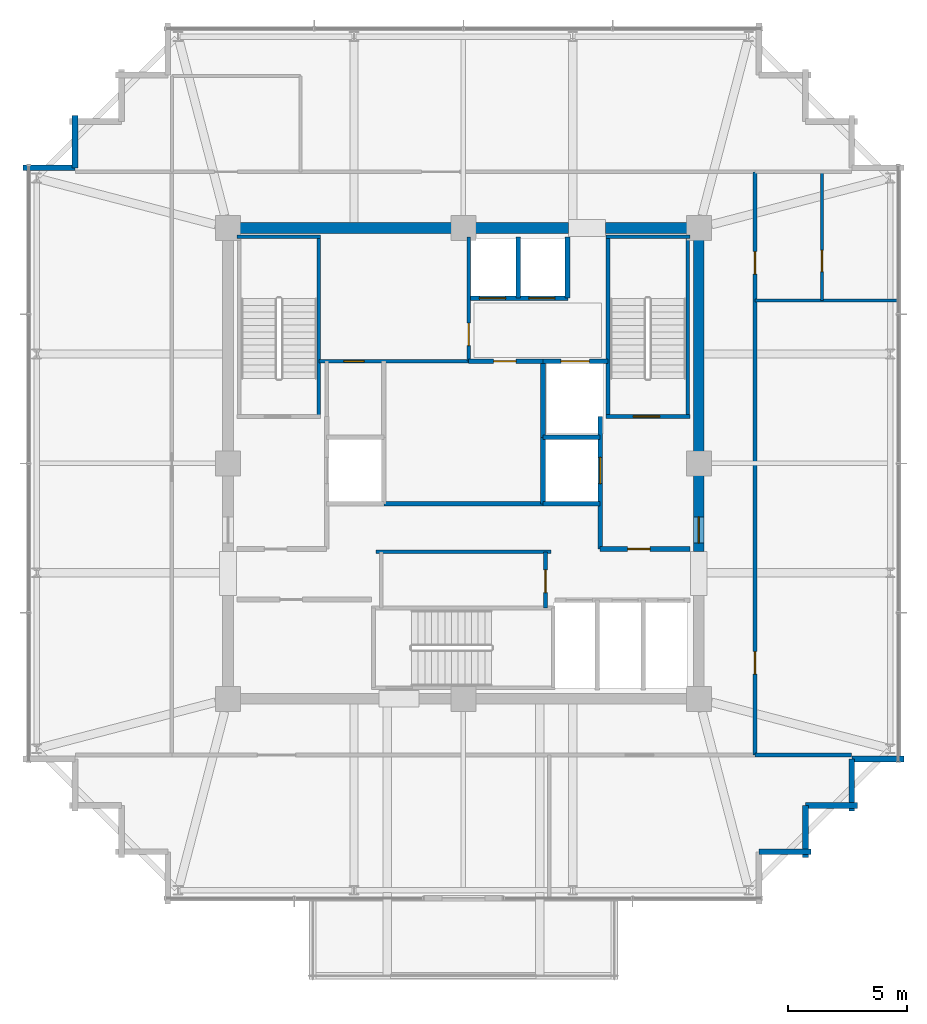
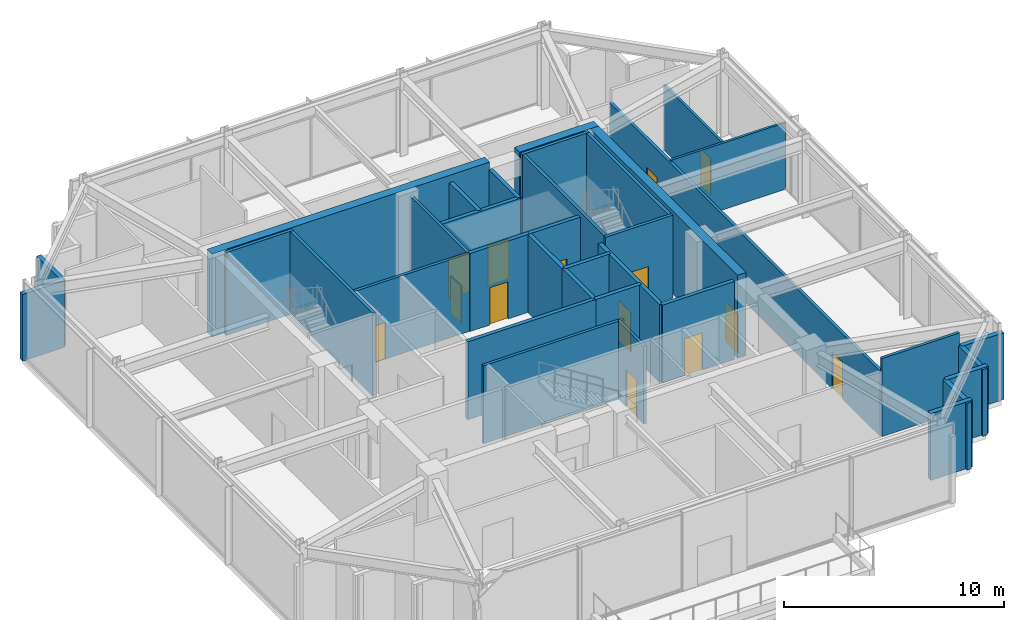
# One storey, part 28 of 30: 36 walls, 14 doors, 14 openings.
"""IFC4 building model written with IfcOpenShell, lengths in metres."""

from ifc_helpers import new_model, si_unit, direction, frame, frame_2d, origin, place, context, subcontext, project, spatial, rectangle, extrude, material, layer, layer_set, type_object, element, fill, save


model = new_model("IFC4")

# Units and contexts
model_context = context("Model", 3, precision=1e-05, world=origin(), true_north=direction((0.0, 1.0)))
body_context = subcontext(model_context, "Body", "Model", "MODEL_VIEW")
ifc_project = project(units=[si_unit("LENGTHUNIT", "METRE"), si_unit("AREAUNIT", "SQUARE_METRE"), si_unit("VOLUMEUNIT", "CUBIC_METRE"), si_unit("PLANEANGLEUNIT", "RADIAN"), si_unit("MASSUNIT", "GRAM", prefix="KILO")], contexts=[model_context])

# Site, building, storey
site_placement = place(None, origin())
site = spatial("IfcSite", under=ifc_project, at=site_placement, CompositionType="ELEMENT")
building_placement = place(site_placement, origin())
building = spatial("IfcBuilding", under=site, at=building_placement, Name="Kolvaren Belvedere", CompositionType="ELEMENT")
storey_placement = place(building_placement, frame((0.0, 0.0, 262.800048828125)))
storey = spatial("IfcBuildingStorey", under=building, at=storey_placement, Name="L76", CompositionType="ELEMENT", Elevation=262.800048828125)

# Walls
ifc_material_1 = material(Name="Concrete C50/60", Category="concrete")
ifc_layer_1 = layer(ifc_material_1, 0.449951171875)
ifc_layer_set_1 = layer_set([ifc_layer_1], Name="Concrete C50/60")
wall_type_1 = type_object("IfcWallType", Name="CW-CORE-450", PredefinedType="SHEAR", material=ifc_layer_set_1)
wall_1_placement = place(storey_placement, frame((-10.125, 9.89990234375, 0.0), z_axis=(0.0, 0.0, 1.0), x_axis=(1.0, 0.0, 0.0)))
element("IfcWall", 1, at=wall_1_placement, inside=storey, type_object=wall_type_1, Name="L76 North Core Shear Wall 1", PredefinedType="SHEAR", context=body_context, shape_type="SweptSolid", body=[
    extrude(rectangle(XDim=14.544921875, YDim=0.449951171875, at=frame_2d((7.2724609375, 0.0))), origin(), (0.0, 0.0, 1.0), 4.599853515625),
])
wall_2_placement = place(storey_placement, frame((5.97998046875, 9.89990234375, 0.0), z_axis=(0.0, 0.0, 1.0), x_axis=(1.0, 0.0, 0.0)))
element("IfcWall", 2, at=wall_2_placement, inside=storey, type_object=wall_type_1, Name="L76 North Core Shear Wall 2", PredefinedType="SHEAR", context=body_context, shape_type="SweptSolid", body=[
    extrude(rectangle(XDim=4.14501953125, YDim=0.449951171875, at=frame_2d((2.072509765625, 0.0))), origin(), (0.0, 0.0, 1.0), 4.599853515625),
])

# Wall, opening, door
wall_3_placement = place(storey_placement, frame((9.89990234375, -3.699951171875, 0.0), z_axis=(0.0, 0.0, 1.0), x_axis=(0.0, 1.0, 0.0)))
wall_3 = element("IfcWall", 3, at=wall_3_placement, inside=storey, type_object=wall_type_1, Name="L76 East Core Shear Wall 2", PredefinedType="SHEAR", context=body_context, shape_type="SweptSolid", body=[
    extrude(rectangle(XDim=13.375, YDim=0.449951171875, at=frame_2d((6.6875, 0.0))), origin(), (0.0, 0.0, 1.0), 4.599853515625),
])
opening_1_placement = place(wall_3_placement, frame((0.35009765625, 0.0, 0.0)))
opening_1 = element("IfcOpeningElement", 4, at=opening_1_placement, cuts=wall_3, Name="Opening D-FD90", PredefinedType="OPENING", context=body_context, shape_type="SweptSolid", body=[
    extrude(rectangle(XDim=1.10009765625, YDim=2.199951171875, at=frame_2d((0.550048828125, 1.10009765625))), frame((0.0, 0.23486328125, 0.0), z_axis=(0.0, -1.0, 0.0), x_axis=(1.0, 0.0, 0.0)), (0.0, 0.0, 1.0), 0.469970703125),
])
ifc_material_2 = material(Name="Painted hollow stainless steel", Category="steel")
door_type_1 = type_object("IfcDoorType", Name="DR-FD90-1100", OperationType="NOTDEFINED", PredefinedType="DOOR", material=ifc_material_2)
door_1_placement = place(opening_1_placement, origin())
door_1 = element("IfcDoor", 5, at=door_1_placement, inside=storey, type_object=door_type_1, Name="L76 East Firefighting Lobby Fire Door", OperationType="SINGLE_SWING_RIGHT", OverallHeight=2.199951171875, OverallWidth=1.10009765625, PredefinedType="DOOR", context=body_context, shape_type="SweptSolid", body=[
    extrude(rectangle(XDim=1.10009765625, YDim=2.199951171875, at=frame_2d((0.550048828125, 1.10009765625))), frame((0.0, 0.02490234375, 0.0), z_axis=(0.0, -1.0, 0.0), x_axis=(1.0, 0.0, 0.0)), (0.0, 0.0, 1.0), 0.050048828125),
])
fill(opening_1, door_1)

# Walls
ifc_material_3 = material(Name="Concrete C50/60", Category="concrete")
ifc_layer_2 = layer(ifc_material_3, 0.159912109375)
ifc_layer_set_2 = layer_set([ifc_layer_2], Name="Concrete C50/60")
wall_type_2 = type_object("IfcWallType", Name="CW-STAIR-160", PredefinedType="SHEAR", material=ifc_layer_set_2)
wall_4_placement = place(storey_placement, frame((-9.52001953125, 9.530029296875, 0.0), z_axis=(0.0, 0.0, 1.0), x_axis=(1.0, 0.0, 0.0)))
element("IfcWall", 6, at=wall_4_placement, inside=storey, type_object=wall_type_2, Name="L76 Stair ST-1 North Shear Wall", PredefinedType="SHEAR", context=body_context, shape_type="SweptSolid", body=[
    extrude(rectangle(XDim=3.52001953125, YDim=0.159912109375, at=frame_2d((1.760009765625, 0.0))), origin(), (0.0, 0.0, 1.0), 4.599853515625),
])
wall_5_placement = place(storey_placement, frame((-6.080078125, 1.969970703125, 0.0), z_axis=(0.0, 0.0, 1.0), x_axis=(0.0, 1.0, 0.0)))
element("IfcWall", 7, at=wall_5_placement, inside=storey, type_object=wall_type_2, Name="L76 Stair ST-1 East Shear Wall", PredefinedType="SHEAR", context=body_context, shape_type="SweptSolid", body=[
    extrude(rectangle(XDim=7.56005859375, YDim=0.159912109375, at=frame_2d((3.780029296875, 0.0))), origin(), (0.0, 0.0, 1.0), 4.599853515625),
])

# Wall, opening, door
wall_6_placement = place(storey_placement, frame((6.0, 1.969970703125, 0.0), z_axis=(0.0, 0.0, 1.0), x_axis=(1.0, 0.0, 0.0)))
wall_6 = element("IfcWall", 8, at=wall_6_placement, inside=storey, type_object=wall_type_2, Name="L76 Stair ST-2 South Shear Wall", PredefinedType="SHEAR", context=body_context, shape_type="SweptSolid", body=[
    extrude(rectangle(XDim=3.52001953125, YDim=0.159912109375, at=frame_2d((1.760009765625, 0.0))), origin(), (0.0, 0.0, 1.0), 4.599853515625),
])
opening_2_placement = place(wall_6_placement, frame((1.14990234375, 0.0, 0.0)))
opening_2 = element("IfcOpeningElement", 9, at=opening_2_placement, cuts=wall_6, Name="Opening D-FD90", PredefinedType="OPENING", context=body_context, shape_type="SweptSolid", body=[
    extrude(rectangle(XDim=1.10009765625, YDim=2.199951171875, at=frame_2d((0.550048828125, 1.10009765625))), frame((0.0, 0.08984375, 0.0), z_axis=(0.0, -1.0, 0.0), x_axis=(1.0, 0.0, 0.0)), (0.0, 0.0, 1.0), 0.179931640625),
])
door_2_placement = place(opening_2_placement, origin())
door_2 = element("IfcDoor", 10, at=door_2_placement, inside=storey, type_object=door_type_1, Name="L76 Stair ST-2 Fire Door", OperationType="SINGLE_SWING_RIGHT", OverallHeight=2.199951171875, OverallWidth=1.10009765625, PredefinedType="DOOR", context=body_context, shape_type="SweptSolid", body=[
    extrude(rectangle(XDim=1.10009765625, YDim=2.199951171875, at=frame_2d((0.550048828125, 1.10009765625))), frame((0.0, 0.02490234375, 0.0), z_axis=(0.0, -1.0, 0.0), x_axis=(1.0, 0.0, 0.0)), (0.0, 0.0, 1.0), 0.050048828125),
])
fill(opening_2, door_2)

# Walls
wall_7_placement = place(storey_placement, frame((6.0, 9.530029296875, 0.0), z_axis=(0.0, 0.0, 1.0), x_axis=(1.0, 0.0, 0.0)))
element("IfcWall", 11, at=wall_7_placement, inside=storey, type_object=wall_type_2, Name="L76 Stair ST-2 North Shear Wall", PredefinedType="SHEAR", context=body_context, shape_type="SweptSolid", body=[
    extrude(rectangle(XDim=3.52001953125, YDim=0.159912109375, at=frame_2d((1.760009765625, 0.0))), origin(), (0.0, 0.0, 1.0), 4.599853515625),
])
for number, where, z_axis, x_axis, name in (
    (12, (6.080078125, 1.969970703125, 0.0), (0.0, 0.0, 1.0), (0.0, 1.0, 0.0), "L76 Stair ST-2 West Shear Wall"),
    (13, (9.429931640625, 1.969970703125, 0.0), (0.0, 0.0, 1.0), (0.0, 1.0, 0.0), "L76 Stair ST-2 East Shear Wall"),
):
    element("IfcWall", number, at=place(storey_placement, frame(where, z_axis=z_axis, x_axis=x_axis)), inside=storey, type_object=wall_type_2, Name=name, PredefinedType="SHEAR", context=body_context, shape_type="SweptSolid", body=[
        extrude(rectangle(XDim=7.56005859375, YDim=0.159912109375, at=frame_2d((3.780029296875, 0.0))), origin(), (0.0, 0.0, 1.0), 4.599853515625),
    ])

# Wall, openings, doors
ifc_material_4 = material(Name="Gypsum fire-rated partition assembly", Category="gypsum")
ifc_layer_3 = layer(ifc_material_4, 0.14990234375)
ifc_layer_set_3 = layer_set([ifc_layer_3], Name="Gypsum fire-rated partition assembly")
wall_type_3 = type_object("IfcWallType", Name="WL-CORR-150", PredefinedType="PARTITIONING", material=ifc_layer_set_3)
wall_8_placement = place(storey_placement, frame((12.260009765625, -12.260009765625, 0.0), z_axis=(0.0, 0.0, 1.0), x_axis=(0.0, 1.0, 0.0)))
wall_8 = element("IfcWall", 14, at=wall_8_placement, inside=storey, type_object=wall_type_3, Name="L76 East Corridor Wall", PredefinedType="PARTITIONING", context=body_context, shape_type="SweptSolid", body=[
    extrude(rectangle(XDim=24.52001953125, YDim=0.14990234375, at=frame_2d((12.260009765625, 0.0))), origin(), (0.0, 0.0, 1.0), 3.60888671875),
])
opening_3_placement = place(wall_8_placement, frame((3.39990234375, 0.0, 0.0)))
opening_3 = element("IfcOpeningElement", 15, at=opening_3_placement, cuts=wall_8, Name="Opening D-FD60", PredefinedType="OPENING", context=body_context, shape_type="SweptSolid", body=[
    extrude(rectangle(XDim=0.949951171875, YDim=2.06005859375, at=frame_2d((0.47509765625, 1.030029296875))), frame((0.0, 0.0849609375, 0.0), z_axis=(0.0, -1.0, 0.0), x_axis=(1.0, 0.0, 0.0)), (0.0, 0.0, 1.0), 0.169921875),
])
opening_4_placement = place(wall_8_placement, frame((20.219970703125, 0.0, 0.0)))
opening_4 = element("IfcOpeningElement", 16, at=opening_4_placement, cuts=wall_8, Name="Opening D-INT95", PredefinedType="OPENING", context=body_context, shape_type="SweptSolid", body=[
    extrude(rectangle(XDim=0.949951171875, YDim=2.06005859375, at=frame_2d((0.47509765625, 1.030029296875))), frame((0.0, 0.0849609375, 0.0), z_axis=(0.0, -1.0, 0.0), x_axis=(1.0, 0.0, 0.0)), (0.0, 0.0, 1.0), 0.169921875),
])
ifc_material_5 = material(Name="Acoustic white-oak fire door leaf", Category="timber")
door_type_2 = type_object("IfcDoorType", Name="DR-FD60-950", OperationType="NOTDEFINED", PredefinedType="DOOR", material=ifc_material_5)
door_3_placement = place(opening_3_placement, origin())
door_3 = element("IfcDoor", 17, at=door_3_placement, inside=storey, type_object=door_type_2, Name="L76 Pastry & Sommelier Kitchen Door", OperationType="SINGLE_SWING_LEFT", OverallHeight=2.06005859375, OverallWidth=0.949951171875, PredefinedType="DOOR", context=body_context, shape_type="SweptSolid", body=[
    extrude(rectangle(XDim=0.949951171875, YDim=2.06005859375, at=frame_2d((0.47509765625, 1.030029296875))), frame((0.0, 0.02490234375, 0.0), z_axis=(0.0, -1.0, 0.0), x_axis=(1.0, 0.0, 0.0)), (0.0, 0.0, 1.0), 0.050048828125),
])
fill(opening_3, door_3)
ifc_material_6 = material(Name="Stained Pacific white oak", Category="timber")
door_type_3 = type_object("IfcDoorType", Name="DR-INT-950", OperationType="NOTDEFINED", PredefinedType="DOOR", material=ifc_material_6)
door_4_placement = place(opening_4_placement, origin())
door_4 = element("IfcDoor", 18, at=door_4_placement, inside=storey, type_object=door_type_3, Name="L76 Restaurant Public Washroom Door", OperationType="SINGLE_SWING_RIGHT", OverallHeight=2.06005859375, OverallWidth=0.949951171875, PredefinedType="DOOR", context=body_context, shape_type="SweptSolid", body=[
    extrude(rectangle(XDim=0.949951171875, YDim=2.06005859375, at=frame_2d((0.47509765625, 1.030029296875))), frame((0.0, 0.02490234375, 0.0), z_axis=(0.0, -1.0, 0.0), x_axis=(1.0, 0.0, 0.0)), (0.0, 0.0, 1.0), 0.050048828125),
])
fill(opening_4, door_4)

# Walls
wall_9_placement = place(storey_placement, frame((12.260009765625, -12.260009765625, 0.0), z_axis=(0.0, 0.0, 1.0), x_axis=(1.0, 0.0, 0.0)))
element("IfcWall", 19, at=wall_9_placement, inside=storey, type_object=wall_type_3, Name="L76 Sector Wall PW-L76-QSE", PredefinedType="PARTITIONING", context=body_context, shape_type="SweptSolid", body=[
    extrude(rectangle(XDim=4.06005859375, YDim=0.14990234375, at=frame_2d((2.030029296875, 0.0))), origin(), (0.0, 0.0, 1.0), 4.320068359375),
])
ifc_material_7 = material(Name="Insulated pale-metal facade wall assembly", Category="aluminium")
ifc_layer_4 = layer(ifc_material_7, 0.239990234375)
ifc_layer_set_4 = layer_set([ifc_layer_4], Name="Insulated pale-metal facade wall assembly")
wall_type_4 = type_object("IfcWallType", Name="WL-EXT-240", PredefinedType="STANDARD", material=ifc_layer_set_4)
for number, where, z_axis, x_axis, name in (
    (20, (14.6201171875, -16.330078125, 0.0), (0.0, 0.0, 1.0), (-1.0, 0.0, 0.0), "L76 Serrated Corner Facade Wall 3"),
    (21, (14.3798828125, -14.3798828125, 0.0), (0.0, 0.0, 1.0), (0.0, -1.0, 0.0), "L76 Serrated Corner Facade Wall 4"),
    (22, (16.570068359375, -14.3798828125, 0.0), (0.0, 0.0, 1.0), (-1.0, 0.0, 0.0), "L76 Serrated Corner Facade Wall 5"),
    (23, (16.330078125, -12.429931640625, 0.0), (0.0, 0.0, 1.0), (0.0, -1.0, 0.0), "L76 Serrated Corner Facade Wall 6"),
):
    element("IfcWall", number, at=place(storey_placement, frame(where, z_axis=z_axis, x_axis=x_axis)), inside=storey, type_object=wall_type_4, Name=name, PredefinedType="STANDARD", context=body_context, shape_type="SweptSolid", body=[
        extrude(rectangle(XDim=2.190185546875, YDim=0.239990234375, at=frame_2d((1.09521484375, 0.0))), origin(), (0.0, 0.0, 1.0), 3.702880859375),
    ])
wall_10_placement = place(storey_placement, frame((18.52001953125, -12.429931640625, 0.0), z_axis=(0.0, 0.0, 1.0), x_axis=(-1.0, 0.0, 0.0)))
element("IfcWall", 24, at=wall_10_placement, inside=storey, type_object=wall_type_4, Name="L76 Serrated Corner Facade Wall 7", PredefinedType="STANDARD", context=body_context, shape_type="SweptSolid", body=[
    extrude(rectangle(XDim=2.18994140625, YDim=0.239990234375, at=frame_2d((1.094970703125, 0.0))), origin(), (0.0, 0.0, 1.0), 3.702880859375),
])
wall_11_placement = place(storey_placement, frame((-16.330078125, 12.429931640625, 0.0), z_axis=(0.0, 0.0, 1.0), x_axis=(0.0, 1.0, 0.0)))
element("IfcWall", 25, at=wall_11_placement, inside=storey, type_object=wall_type_4, Name="L76 Serrated Corner Facade Wall 20", PredefinedType="STANDARD", context=body_context, shape_type="SweptSolid", body=[
    extrude(rectangle(XDim=2.190185546875, YDim=0.239990234375, at=frame_2d((1.09521484375, 0.0))), origin(), (0.0, 0.0, 1.0), 3.702880859375),
])
wall_12_placement = place(storey_placement, frame((-18.52001953125, 12.429931640625, 0.0), z_axis=(0.0, 0.0, 1.0), x_axis=(1.0, 0.0, 0.0)))
element("IfcWall", 26, at=wall_12_placement, inside=storey, type_object=wall_type_4, Name="L76 Serrated Corner Facade Wall 21", PredefinedType="STANDARD", context=body_context, shape_type="SweptSolid", body=[
    extrude(rectangle(XDim=2.18994140625, YDim=0.239990234375, at=frame_2d((1.094970703125, 0.0))), origin(), (0.0, 0.0, 1.0), 3.702880859375),
])

# Wall, opening, door
ifc_material_8 = material(Name="Gypsum acoustic partition assembly", Category="gypsum")
ifc_layer_5 = layer(ifc_material_8, 0.14990234375)
ifc_layer_set_5 = layer_set([ifc_layer_5], Name="Gypsum acoustic partition assembly")
wall_type_5 = type_object("IfcWallType", Name="WL-PART-150", PredefinedType="PARTITIONING", material=ifc_layer_set_5)
wall_13_placement = place(storey_placement, frame((-6.080078125, 4.300048828125, 0.0), z_axis=(0.0, 0.0, 1.0), x_axis=(1.0, 0.0, 0.0)))
wall_13 = element("IfcWall", 27, at=wall_13_placement, inside=storey, type_object=wall_type_5, Name="L76 Reclaimed Salon South Wall", PredefinedType="PARTITIONING", context=body_context, shape_type="SweptSolid", body=[
    extrude(rectangle(XDim=6.300048828125, YDim=0.14990234375, at=frame_2d((3.14990234375, 0.0))), origin(), (0.0, 0.0, 1.0), 4.320068359375),
])
opening_5_placement = place(wall_13_placement, frame((1.050048828125, 0.0, 0.0)))
opening_5 = element("IfcOpeningElement", 28, at=opening_5_placement, cuts=wall_13, Name="Opening D-INT85", PredefinedType="OPENING", context=body_context, shape_type="SweptSolid", body=[
    extrude(rectangle(XDim=0.85009765625, YDim=2.030029296875, at=frame_2d((0.425048828125, 1.01513671875))), frame((0.0, 0.0849609375, 0.0), z_axis=(0.0, -1.0, 0.0), x_axis=(1.0, 0.0, 0.0)), (0.0, 0.0, 1.0), 0.169921875),
])
ifc_material_9 = material(Name="Stained Pacific white oak", Category="timber")
door_type_4 = type_object("IfcDoorType", Name="DR-INT-850", OperationType="NOTDEFINED", PredefinedType="DOOR", material=ifc_material_9)
door_5_placement = place(opening_5_placement, origin())
door_5 = element("IfcDoor", 29, at=door_5_placement, inside=storey, type_object=door_type_4, Name="L76 NW Core Store Door", OperationType="SINGLE_SWING_RIGHT", OverallHeight=2.030029296875, OverallWidth=0.85009765625, PredefinedType="DOOR", context=body_context, shape_type="SweptSolid", body=[
    extrude(rectangle(XDim=0.85009765625, YDim=2.030029296875, at=frame_2d((0.425048828125, 1.01513671875))), frame((0.0, 0.02490234375, 0.0), z_axis=(0.0, -1.0, 0.0), x_axis=(1.0, 0.0, 0.0)), (0.0, 0.0, 1.0), 0.050048828125),
])
fill(opening_5, door_5)

wall_14_placement = place(storey_placement, frame((0.219970703125, 4.300048828125, 0.0), z_axis=(0.0, 0.0, 1.0), x_axis=(0.0, 1.0, 0.0)))
wall_14 = element("IfcWall", 30, at=wall_14_placement, inside=storey, type_object=wall_type_5, Name="L76 Reclaimed Salon East Wall", PredefinedType="PARTITIONING", context=body_context, shape_type="SweptSolid", body=[
    extrude(rectangle(XDim=5.219970703125, YDim=0.14990234375, at=frame_2d((2.60986328125, 0.0))), origin(), (0.0, 0.0, 1.0), 4.320068359375),
])
opening_6_placement = place(wall_14_placement, frame((0.64990234375, 0.0, 0.0)))
opening_6 = element("IfcOpeningElement", 31, at=opening_6_placement, cuts=wall_14, Name="Opening D-INT95", PredefinedType="OPENING", context=body_context, shape_type="SweptSolid", body=[
    extrude(rectangle(XDim=0.949951171875, YDim=2.06005859375, at=frame_2d((0.47509765625, 1.030029296875))), frame((0.0, 0.0849609375, 0.0), z_axis=(0.0, -1.0, 0.0), x_axis=(1.0, 0.0, 0.0)), (0.0, 0.0, 1.0), 0.169921875),
])
door_6_placement = place(opening_6_placement, origin())
door_6 = element("IfcDoor", 32, at=door_6_placement, inside=storey, type_object=door_type_3, Name="L76 Botanical Reading Salon Door", OperationType="SINGLE_SWING_LEFT", OverallHeight=2.06005859375, OverallWidth=0.949951171875, PredefinedType="DOOR", context=body_context, shape_type="SweptSolid", body=[
    extrude(rectangle(XDim=0.949951171875, YDim=2.06005859375, at=frame_2d((0.47509765625, 1.030029296875))), frame((0.0, 0.02490234375, 0.0), z_axis=(0.0, -1.0, 0.0), x_axis=(1.0, 0.0, 0.0)), (0.0, 0.0, 1.0), 0.050048828125),
])
fill(opening_6, door_6)

# Wall
wall_15_placement = place(storey_placement, frame((-3.679931640625, -3.719970703125, 0.0), z_axis=(0.0, 0.0, 1.0), x_axis=(1.0, 0.0, 0.0)))
element("IfcWall", 33, at=wall_15_placement, inside=storey, type_object=wall_type_5, Name="L76 South Core Service North Wall", PredefinedType="PARTITIONING", context=body_context, shape_type="SweptSolid", body=[
    extrude(rectangle(XDim=7.35986328125, YDim=0.14990234375, at=frame_2d((3.679931640625, 0.0))), origin(), (0.0, 0.0, 1.0), 4.320068359375),
])

# Wall, opening, door
wall_16_placement = place(storey_placement, frame((3.449951171875, -6.080078125, 0.0), z_axis=(0.0, 0.0, 1.0), x_axis=(0.0, 1.0, 0.0)))
wall_16 = element("IfcWall", 34, at=wall_16_placement, inside=storey, type_object=wall_type_5, Name="L76 South Core Service East Wall", PredefinedType="PARTITIONING", context=body_context, shape_type="SweptSolid", body=[
    extrude(rectangle(XDim=2.360107421875, YDim=0.14990234375, at=frame_2d((1.18017578125, 0.0))), origin(), (0.0, 0.0, 1.0), 4.320068359375),
])
opening_7_placement = place(wall_16_placement, frame((0.64990234375, 0.0, 0.0)))
opening_7 = element("IfcOpeningElement", 35, at=opening_7_placement, cuts=wall_16, Name="Opening D-FD60", PredefinedType="OPENING", context=body_context, shape_type="SweptSolid", body=[
    extrude(rectangle(XDim=0.949951171875, YDim=2.06005859375, at=frame_2d((0.47509765625, 1.030029296875))), frame((0.0, 0.0849609375, 0.0), z_axis=(0.0, -1.0, 0.0), x_axis=(1.0, 0.0, 0.0)), (0.0, 0.0, 1.0), 0.169921875),
])
door_7_placement = place(opening_7_placement, origin())
door_7 = element("IfcDoor", 36, at=door_7_placement, inside=storey, type_object=door_type_2, Name="L76 Core Service Room Door", OperationType="SINGLE_SWING_LEFT", OverallHeight=2.06005859375, OverallWidth=0.949951171875, PredefinedType="DOOR", context=body_context, shape_type="SweptSolid", body=[
    extrude(rectangle(XDim=0.949951171875, YDim=2.06005859375, at=frame_2d((0.47509765625, 1.030029296875))), frame((0.0, 0.02490234375, 0.0), z_axis=(0.0, -1.0, 0.0), x_axis=(1.0, 0.0, 0.0)), (0.0, 0.0, 1.0), 0.050048828125),
])
fill(opening_7, door_7)

ifc_material_10 = material(Name="Concrete C50/60", Category="concrete")
ifc_layer_6 = layer(ifc_material_10, 0.199951171875)
ifc_layer_set_6 = layer_set([ifc_layer_6], Name="Concrete C50/60")
wall_type_6 = type_object("IfcWallType", Name="WL-SHAFT-200", PredefinedType="SOLIDWALL", material=ifc_layer_set_6)
wall_17_placement = place(storey_placement, frame((5.75, -3.60009765625, 0.0), z_axis=(0.0, 0.0, 1.0), x_axis=(1.0, 0.0, 0.0)))
wall_17 = element("IfcWall", 37, at=wall_17_placement, inside=storey, type_object=wall_type_6, Name="L76 East FSAE Lobby South Wall", PredefinedType="SOLIDWALL", context=body_context, shape_type="SweptSolid", body=[
    extrude(rectangle(XDim=3.77001953125, YDim=0.199951171875, at=frame_2d((1.885009765625, 0.0))), origin(), (0.0, 0.0, 1.0), 4.320068359375),
])
opening_8_placement = place(wall_17_placement, frame((1.14990234375, 0.0, 0.0)))
opening_8 = element("IfcOpeningElement", 38, at=opening_8_placement, cuts=wall_17, Name="Opening D-FD60", PredefinedType="OPENING", context=body_context, shape_type="SweptSolid", body=[
    extrude(rectangle(XDim=0.949951171875, YDim=2.06005859375, at=frame_2d((0.47509765625, 1.030029296875))), frame((0.0, 0.10986328125, 0.0), z_axis=(0.0, -1.0, 0.0), x_axis=(1.0, 0.0, 0.0)), (0.0, 0.0, 1.0), 0.219970703125),
])
door_8_placement = place(opening_8_placement, origin())
door_8 = element("IfcDoor", 39, at=door_8_placement, inside=storey, type_object=door_type_2, Name="L76 SE Lift Lobby Fire Door", OperationType="SINGLE_SWING_RIGHT", OverallHeight=2.06005859375, OverallWidth=0.949951171875, PredefinedType="DOOR", context=body_context, shape_type="SweptSolid", body=[
    extrude(rectangle(XDim=0.949951171875, YDim=2.06005859375, at=frame_2d((0.47509765625, 1.030029296875))), frame((0.0, 0.02490234375, 0.0), z_axis=(0.0, -1.0, 0.0), x_axis=(1.0, 0.0, 0.0)), (0.0, 0.0, 1.0), 0.050048828125),
])
fill(opening_8, door_8)

wall_18_placement = place(storey_placement, frame((5.75, -3.60009765625, 0.0), z_axis=(0.0, 0.0, 1.0), x_axis=(0.0, 1.0, 0.0)))
wall_18 = element("IfcWall", 40, at=wall_18_placement, inside=storey, type_object=wall_type_6, Name="L76 FSAE FS2 Landing Wall", PredefinedType="SOLIDWALL", context=body_context, shape_type="SweptSolid", body=[
    extrude(rectangle(XDim=5.570068359375, YDim=0.199951171875, at=frame_2d((2.78515625, 0.0))), origin(), (0.0, 0.0, 1.0), 4.320068359375),
])
opening_9_placement = place(wall_18_placement, frame((2.75, 0.0, 0.0)))
opening_9 = element("IfcOpeningElement", 41, at=opening_9_placement, cuts=wall_18, Name="Opening LD-11", PredefinedType="OPENING", context=body_context, shape_type="SweptSolid", body=[
    extrude(rectangle(XDim=1.10009765625, YDim=2.199951171875, at=frame_2d((0.550048828125, 1.10009765625))), frame((0.0, 0.10986328125, 0.0), z_axis=(0.0, -1.0, 0.0), x_axis=(1.0, 0.0, 0.0)), (0.0, 0.0, 1.0), 0.219970703125),
])
ifc_material_11 = material(Name="Brushed stainless steel", Category="steel")
door_type_5 = type_object("IfcDoorType", Name="DR-LIFT-1100", OperationType="DOUBLE_DOOR_SLIDING", PredefinedType="DOOR", material=ifc_material_11)
door_9_placement = place(opening_9_placement, origin())
door_9 = element("IfcDoor", 42, at=door_9_placement, inside=storey, type_object=door_type_5, Name="L76 Firefighting Lift FS2 Landing Door", OperationType="DOUBLE_DOOR_SLIDING", OverallHeight=2.199951171875, OverallWidth=1.10009765625, PredefinedType="DOOR", context=body_context, shape_type="SweptSolid", body=[
    extrude(rectangle(XDim=1.10009765625, YDim=2.199951171875, at=frame_2d((0.550048828125, 1.10009765625))), frame((0.0, 0.02490234375, 0.0), z_axis=(0.0, -1.0, 0.0), x_axis=(1.0, 0.0, 0.0)), (0.0, 0.0, 1.0), 0.050048828125),
])
fill(opening_9, door_9)

# Walls
wall_19_placement = place(storey_placement, frame((3.35009765625, -1.699951171875, 0.0), z_axis=(0.0, 0.0, 1.0), x_axis=(0.0, 1.0, 0.0)))
element("IfcWall", 43, at=wall_19_placement, inside=storey, type_object=wall_type_6, Name="L76 FSAE FS2 Back Wall", PredefinedType="SOLIDWALL", context=body_context, shape_type="SweptSolid", body=[
    extrude(rectangle(XDim=2.800048828125, YDim=0.199951171875, at=frame_2d((1.39990234375, 0.0))), origin(), (0.0, 0.0, 1.0), 4.320068359375),
])
for number, where, z_axis, x_axis, name in (
    (44, (3.35009765625, -1.699951171875, 0.0), (0.0, 0.0, 1.0), (1.0, 0.0, 0.0), "L76 FSAE FS2 South Wall"),
    (45, (3.35009765625, 1.10009765625, 0.0), (0.0, 0.0, 1.0), (1.0, 0.0, 0.0), "L76 FSAE FS2 North Wall"),
):
    element("IfcWall", number, at=place(storey_placement, frame(where, z_axis=z_axis, x_axis=x_axis)), inside=storey, type_object=wall_type_6, Name=name, PredefinedType="SOLIDWALL", context=body_context, shape_type="SweptSolid", body=[
        extrude(rectangle(XDim=2.39990234375, YDim=0.199951171875, at=frame_2d((1.199951171875, 0.0))), origin(), (0.0, 0.0, 1.0), 4.320068359375),
    ])

# Wall, opening, door
wall_20_placement = place(storey_placement, frame((3.35009765625, 4.300048828125, 0.0), z_axis=(0.0, 0.0, 1.0), x_axis=(1.0, 0.0, 0.0)))
wall_20 = element("IfcWall", 46, at=wall_20_placement, inside=storey, type_object=wall_type_6, Name="L76 Service Lift SV1 Front Wall", PredefinedType="SOLIDWALL", context=body_context, shape_type="SweptSolid", body=[
    extrude(rectangle(XDim=2.72998046875, YDim=0.199951171875, at=frame_2d((1.364990234375, 0.0))), origin(), (0.0, 0.0, 1.0), 4.320068359375),
])
opening_10_placement = place(wall_20_placement, frame((0.75, 0.0, 0.0)))
opening_10 = element("IfcOpeningElement", 47, at=opening_10_placement, cuts=wall_20, Name="Opening LD-12", PredefinedType="OPENING", context=body_context, shape_type="SweptSolid", body=[
    extrude(rectangle(XDim=1.199951171875, YDim=2.25, at=frame_2d((0.60009765625, 1.125))), frame((0.0, 0.10986328125, 0.0), z_axis=(0.0, -1.0, 0.0), x_axis=(1.0, 0.0, 0.0)), (0.0, 0.0, 1.0), 0.219970703125),
])
ifc_material_12 = material(Name="Brushed stainless steel", Category="steel")
door_type_6 = type_object("IfcDoorType", Name="DR-LIFT-1200", OperationType="DOUBLE_DOOR_SLIDING", PredefinedType="DOOR", material=ifc_material_12)
door_10_placement = place(opening_10_placement, origin())
door_10 = element("IfcDoor", 48, at=door_10_placement, inside=storey, type_object=door_type_6, Name="L76 Service Lift SV1 Landing Door", OperationType="DOUBLE_DOOR_SLIDING", OverallHeight=2.25, OverallWidth=1.199951171875, PredefinedType="DOOR", context=body_context, shape_type="SweptSolid", body=[
    extrude(rectangle(XDim=1.199951171875, YDim=2.25, at=frame_2d((0.60009765625, 1.125))), frame((0.0, 0.02490234375, 0.0), z_axis=(0.0, -1.0, 0.0), x_axis=(1.0, 0.0, 0.0)), (0.0, 0.0, 1.0), 0.050048828125),
])
fill(opening_10, door_10)

# Wall, openings, doors
wall_21_placement = place(storey_placement, frame((0.219970703125, 6.949951171875, 0.0), z_axis=(0.0, 0.0, 1.0), x_axis=(1.0, 0.0, 0.0)))
wall_21 = element("IfcWall", 49, at=wall_21_placement, inside=storey, type_object=wall_type_6, Name="L76 Express Shuttle Hoistway Wall", PredefinedType="SOLIDWALL", context=body_context, shape_type="SweptSolid", body=[
    extrude(rectangle(XDim=4.179931640625, YDim=0.199951171875, at=frame_2d((2.08984375, 0.0))), origin(), (0.0, 0.0, 1.0), 4.320068359375),
])
opening_11_placement = place(wall_21_placement, frame((0.449951171875, 0.0, 0.0)))
opening_11 = element("IfcOpeningElement", 50, at=opening_11_placement, cuts=wall_21, Name="Opening LD-11", PredefinedType="OPENING", context=body_context, shape_type="SweptSolid", body=[
    extrude(rectangle(XDim=1.10009765625, YDim=2.199951171875, at=frame_2d((0.550048828125, 1.10009765625))), frame((0.0, 0.10986328125, 0.0), z_axis=(0.0, -1.0, 0.0), x_axis=(1.0, 0.0, 0.0)), (0.0, 0.0, 1.0), 0.219970703125),
])
opening_12_placement = place(wall_21_placement, frame((2.530029296875, 0.0, 0.0)))
opening_12 = element("IfcOpeningElement", 51, at=opening_12_placement, cuts=wall_21, Name="Opening LD-11", PredefinedType="OPENING", context=body_context, shape_type="SweptSolid", body=[
    extrude(rectangle(XDim=1.10009765625, YDim=2.199951171875, at=frame_2d((0.550048828125, 1.10009765625))), frame((0.0, 0.10986328125, 0.0), z_axis=(0.0, -1.0, 0.0), x_axis=(1.0, 0.0, 0.0)), (0.0, 0.0, 1.0), 0.219970703125),
])
door_11_placement = place(opening_11_placement, origin())
door_11 = element("IfcDoor", 52, at=door_11_placement, inside=storey, type_object=door_type_5, Name="L76 Express Observation Lift EX1 Landing Door", OperationType="DOUBLE_DOOR_SLIDING", OverallHeight=2.199951171875, OverallWidth=1.10009765625, PredefinedType="DOOR", context=body_context, shape_type="SweptSolid", body=[
    extrude(rectangle(XDim=1.10009765625, YDim=2.199951171875, at=frame_2d((0.550048828125, 1.10009765625))), frame((0.0, 0.02490234375, 0.0), z_axis=(0.0, -1.0, 0.0), x_axis=(1.0, 0.0, 0.0)), (0.0, 0.0, 1.0), 0.050048828125),
])
fill(opening_11, door_11)
door_12_placement = place(opening_12_placement, origin())
door_12 = element("IfcDoor", 53, at=door_12_placement, inside=storey, type_object=door_type_5, Name="L76 Express Observation Lift EX2 Landing Door", OperationType="DOUBLE_DOOR_SLIDING", OverallHeight=2.199951171875, OverallWidth=1.10009765625, PredefinedType="DOOR", context=body_context, shape_type="SweptSolid", body=[
    extrude(rectangle(XDim=1.10009765625, YDim=2.199951171875, at=frame_2d((0.550048828125, 1.10009765625))), frame((0.0, 0.02490234375, 0.0), z_axis=(0.0, -1.0, 0.0), x_axis=(1.0, 0.0, 0.0)), (0.0, 0.0, 1.0), 0.050048828125),
])
fill(opening_12, door_12)

# Walls
for number, where, z_axis, x_axis, name in (
    (54, (4.3798828125, 6.949951171875, 0.0), (0.0, 0.0, 1.0), (0.0, 1.0, 0.0), "L76 Express Shuttle East Wall"),
    (55, (2.31005859375, 6.949951171875, 0.0), (0.0, 0.0, 1.0), (0.0, 1.0, 0.0), "L76 Express Shuttle Divider"),
):
    element("IfcWall", number, at=place(storey_placement, frame(where, z_axis=z_axis, x_axis=x_axis)), inside=storey, type_object=wall_type_6, Name=name, PredefinedType="SOLIDWALL", context=body_context, shape_type="SweptSolid", body=[
        extrude(rectangle(XDim=2.570068359375, YDim=0.199951171875, at=frame_2d((1.28515625, 0.0))), origin(), (0.0, 0.0, 1.0), 4.320068359375),
    ])

# Wall, opening, door
wall_22_placement = place(storey_placement, frame((0.219970703125, 4.300048828125, 0.0), z_axis=(0.0, 0.0, 1.0), x_axis=(1.0, 0.0, 0.0)))
wall_22 = element("IfcWall", 56, at=wall_22_placement, inside=storey, type_object=wall_type_6, Name="L76 Central Core Room North Wall", PredefinedType="SOLIDWALL", context=body_context, shape_type="SweptSolid", body=[
    extrude(rectangle(XDim=3.130126953125, YDim=0.199951171875, at=frame_2d((1.56494140625, 0.0))), origin(), (0.0, 0.0, 1.0), 4.320068359375),
])
opening_13_placement = place(wall_22_placement, frame((1.050048828125, 0.0, 0.0)))
opening_13 = element("IfcOpeningElement", 57, at=opening_13_placement, cuts=wall_22, Name="Opening D-FD60", PredefinedType="OPENING", context=body_context, shape_type="SweptSolid", body=[
    extrude(rectangle(XDim=0.949951171875, YDim=2.06005859375, at=frame_2d((0.47509765625, 1.030029296875))), frame((0.0, 0.10986328125, 0.0), z_axis=(0.0, -1.0, 0.0), x_axis=(1.0, 0.0, 0.0)), (0.0, 0.0, 1.0), 0.219970703125),
])
door_13_placement = place(opening_13_placement, origin())
door_13 = element("IfcDoor", 58, at=door_13_placement, inside=storey, type_object=door_type_2, Name="L76 Central Core Controls Door", OperationType="SINGLE_SWING_LEFT", OverallHeight=2.06005859375, OverallWidth=0.949951171875, PredefinedType="DOOR", context=body_context, shape_type="SweptSolid", body=[
    extrude(rectangle(XDim=0.949951171875, YDim=2.06005859375, at=frame_2d((0.47509765625, 1.030029296875))), frame((0.0, 0.02490234375, 0.0), z_axis=(0.0, -1.0, 0.0), x_axis=(1.0, 0.0, 0.0)), (0.0, 0.0, 1.0), 0.050048828125),
])
fill(opening_13, door_13)

# Walls
wall_23_placement = place(storey_placement, frame((-3.35009765625, -1.699951171875, 0.0), z_axis=(0.0, 0.0, 1.0), x_axis=(1.0, 0.0, 0.0)))
element("IfcWall", 59, at=wall_23_placement, inside=storey, type_object=wall_type_6, Name="L76 Central Core Room South Wall", PredefinedType="SOLIDWALL", context=body_context, shape_type="SweptSolid", body=[
    extrude(rectangle(XDim=6.7001953125, YDim=0.199951171875, at=frame_2d((3.35009765625, 0.0))), origin(), (0.0, 0.0, 1.0), 4.320068359375),
])
wall_24_placement = place(storey_placement, frame((3.35009765625, 1.10009765625, 0.0), z_axis=(0.0, 0.0, 1.0), x_axis=(0.0, 1.0, 0.0)))
element("IfcWall", 60, at=wall_24_placement, inside=storey, type_object=wall_type_6, Name="L76 Central Core Room East Wall", PredefinedType="SOLIDWALL", context=body_context, shape_type="SweptSolid", body=[
    extrude(rectangle(XDim=3.199951171875, YDim=0.199951171875, at=frame_2d((1.60009765625, 0.0))), origin(), (0.0, 0.0, 1.0), 4.320068359375),
])
ifc_material_13 = material(Name="Moisture-resistant gypsum partition", Category="gypsum")
ifc_layer_7 = layer(ifc_material_13, 0.125)
ifc_layer_set_7 = layer_set([ifc_layer_7], Name="Moisture-resistant gypsum partition")
wall_type_7 = type_object("IfcWallType", Name="WL-WET-125", PredefinedType="PARTITIONING", material=ifc_layer_set_7)
wall_25_placement = place(storey_placement, frame((12.260009765625, 6.860107421875, 0.0), z_axis=(0.0, 0.0, 1.0), x_axis=(1.0, 0.0, 0.0)))
element("IfcWall", 61, at=wall_25_placement, inside=storey, type_object=wall_type_7, Name="L76 East Washroom Wall", PredefinedType="PARTITIONING", context=body_context, shape_type="SweptSolid", body=[
    extrude(rectangle(XDim=6.02001953125, YDim=0.125, at=frame_2d((3.010009765625, 0.0))), origin(), (0.0, 0.0, 1.0), 3.69287109375),
])

# Wall, opening, door
wall_26_placement = place(storey_placement, frame((15.080078125, 6.860107421875, 0.0), z_axis=(0.0, 0.0, 1.0), x_axis=(0.0, 1.0, 0.0)))
wall_26 = element("IfcWall", 62, at=wall_26_placement, inside=storey, type_object=wall_type_7, Name="L76 East Washroom Back Wall", PredefinedType="PARTITIONING", context=body_context, shape_type="SweptSolid", body=[
    extrude(rectangle(XDim=5.39990234375, YDim=0.125, at=frame_2d((2.699951171875, 0.0))), origin(), (0.0, 0.0, 1.0), 3.60888671875),
])
opening_14_placement = place(wall_26_placement, frame((1.199951171875, 0.0, 0.0)))
opening_14 = element("IfcOpeningElement", 63, at=opening_14_placement, cuts=wall_26, Name="Opening D-INT90", PredefinedType="OPENING", context=body_context, shape_type="SweptSolid", body=[
    extrude(rectangle(XDim=0.89990234375, YDim=2.06005859375, at=frame_2d((0.449951171875, 1.030029296875))), frame((0.0, 0.072509765625, 0.0), z_axis=(0.0, -1.0, 0.0), x_axis=(1.0, 0.0, 0.0)), (0.0, 0.0, 1.0), 0.14501953125),
])
ifc_material_14 = material(Name="Stained Pacific white oak", Category="timber")
door_type_7 = type_object("IfcDoorType", Name="DR-INT-900", OperationType="NOTDEFINED", PredefinedType="DOOR", material=ifc_material_14)
door_14_placement = place(opening_14_placement, origin())
door_14 = element("IfcDoor", 64, at=door_14_placement, inside=storey, type_object=door_type_7, Name="L76 Hospitality Service Pantry Door", OperationType="SINGLE_SWING_LEFT", OverallHeight=2.06005859375, OverallWidth=0.89990234375, PredefinedType="DOOR", context=body_context, shape_type="SweptSolid", body=[
    extrude(rectangle(XDim=0.89990234375, YDim=2.06005859375, at=frame_2d((0.449951171875, 1.030029296875))), frame((0.0, 0.02490234375, 0.0), z_axis=(0.0, -1.0, 0.0), x_axis=(1.0, 0.0, 0.0)), (0.0, 0.0, 1.0), 0.050048828125),
])
fill(opening_14, door_14)

save(model, "model.ifc")
